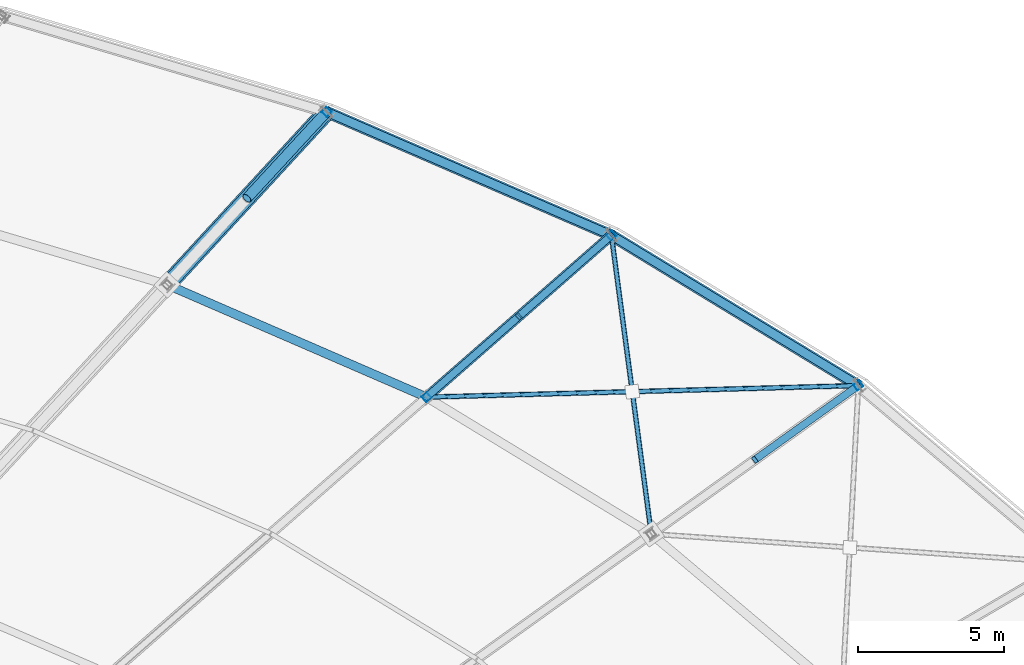
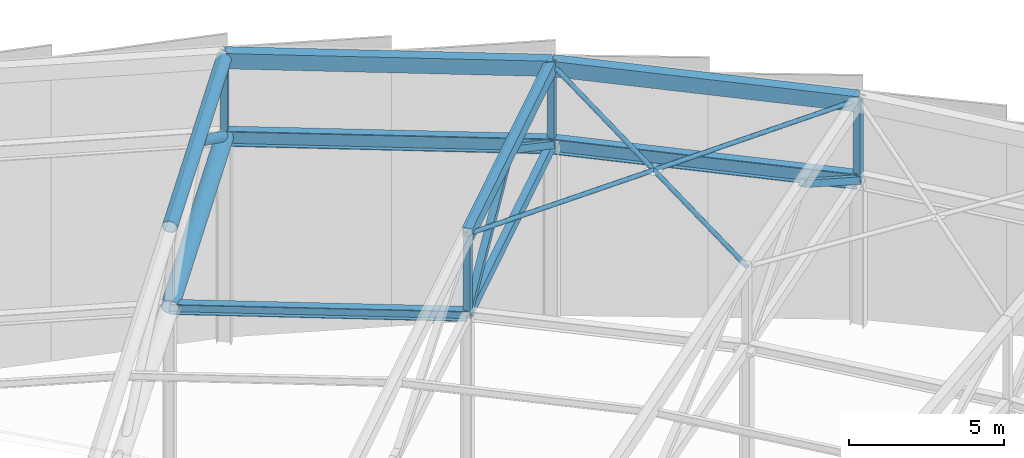
# One storey, part 103 of 143: 11 members, 9 beams.
"""IFC4 building model written with IfcOpenShell, lengths in metres."""

from ifc_helpers import new_model, si_unit, direction, frame, origin, origin_2d, place, context, subcontext, project, spatial, hollow_rectangle, hollow_circle, i_section, extrude, material, material_profile, profile_set, type_object, element, save


model = new_model("IFC4")

# Units and contexts
model_context = context("Model", 3, precision=1e-05, world=origin(), true_north=direction((0.0, 1.0)))
body_context = subcontext(model_context, "Body", "Model", "MODEL_VIEW")
ifc_project = project(units=[si_unit("LENGTHUNIT", "METRE"), si_unit("AREAUNIT", "SQUARE_METRE"), si_unit("VOLUMEUNIT", "CUBIC_METRE"), si_unit("PLANEANGLEUNIT", "RADIAN"), si_unit("MASSUNIT", "GRAM", prefix="KILO")], contexts=[model_context])

# Site, building, storey
site_placement = place(None, origin())
site = spatial("IfcSite", under=ifc_project, at=site_placement, CompositionType="ELEMENT")
building_placement = place(site_placement, origin())
building = spatial("IfcBuilding", under=site, at=building_placement, Name="Mphavela Belvedere Stadium", CompositionType="ELEMENT")
storey_placement = place(building_placement, frame((0.0, 0.0, 28.800048828125)))
storey = spatial("IfcBuildingStorey", under=building, at=storey_placement, Name="RF", CompositionType="ELEMENT", Elevation=28.800048828125)

# Beams
ifc_material_1 = material(Name="Steel S355", Category="steel")
ifc_material_profile_1 = material_profile(ifc_material_1, hollow_rectangle(XDim=0.39990234375, YDim=0.60009765625, WallThickness=0.02001953125, at=origin_2d()), Name="RHS 600x400x20")
ifc_profile_set_1 = profile_set([ifc_material_profile_1], Name="Steel S355")
beam_type_1 = type_object("IfcBeamType", Name="BM-RING-OUT", PredefinedType="BEAM", material=ifc_profile_set_1)
beam_1_placement = place(storey_placement, frame((194.155517578125, 143.714599609375, 8.805908203125), z_axis=(-0.847679486855, 0.515692686756, 0.124501166227), x_axis=(-0.51973651678, -0.854326607994, 0.0)))
element("IfcBeam", 1, at=beam_1_placement, inside=storey, type_object=beam_type_1, Name="Perimeter compression ring beam RB-OUT-07", PredefinedType="BEAM", context=body_context, shape_type="SweptSolid", body=[
    extrude(hollow_rectangle(XDim=0.39990234375, YDim=0.60009765625, WallThickness=0.02001953125, at=origin_2d()), origin(), (0.0, 0.0, 1.0), 9.979248046875),
])
beam_2_placement = place(storey_placement, frame((185.6962890625, 148.86083984375, 10.04833984375), z_axis=(-0.9121115164, 0.395403491348, 0.108206564865), x_axis=(-0.397738842004, -0.91749867224, 0.0)))
element("IfcBeam", 2, at=beam_2_placement, inside=storey, type_object=beam_type_1, Name="Perimeter compression ring beam RB-OUT-08", PredefinedType="BEAM", context=body_context, shape_type="SweptSolid", body=[
    extrude(hollow_rectangle(XDim=0.39990234375, YDim=0.60009765625, WallThickness=0.02001953125, at=origin_2d()), origin(), (0.0, 0.0, 1.0), 10.69921875),
])
ifc_material_2 = material(Name="Steel S355", Category="steel")
ifc_material_profile_2 = material_profile(ifc_material_2, i_section(OverallWidth=0.300048828125, OverallDepth=0.39990234375, WebThickness=0.013427734375, FlangeThickness=0.02392578125, at=origin_2d()), Name="HEB 400")
ifc_profile_set_2 = profile_set([ifc_material_profile_2], Name="Steel S355")
beam_type_2 = type_object("IfcBeamType", Name="BM-STEEL-HEB400", PredefinedType="BEAM", material=ifc_profile_set_2)
beam_3_placement = place(storey_placement, frame((179.360107421875, 143.31689453125, 5.832275390625), z_axis=(-0.912113994664, 0.395396453552, 0.108211391529), x_axis=(-0.397731972832, -0.917501650019, 0.0)))
element("IfcBeam", 3, at=beam_3_placement, inside=storey, type_object=beam_type_2, Name="Roof bottom-chord tie girder R3-08", PredefinedType="BEAM", context=body_context, shape_type="SweptSolid", body=[
    extrude(i_section(OverallWidth=0.300048828125, OverallDepth=0.39990234375, WebThickness=0.013427734375, FlangeThickness=0.02392578125, at=origin_2d()), origin(), (0.0, 0.0, 1.0), 9.73974609375),
])
ifc_material_3 = material(Name="Steel S355", Category="steel")
ifc_material_profile_3 = material_profile(ifc_material_3, i_section(OverallWidth=0.300048828125, OverallDepth=0.60009765625, WebThickness=0.015380859375, FlangeThickness=0.030029296875, at=origin_2d()), Name="HEB 600")
ifc_profile_set_3 = profile_set([ifc_material_profile_3], Name="Steel S355")
beam_type_3 = type_object("IfcBeamType", Name="BM-STEEL-HEB600", PredefinedType="BEAM", material=ifc_profile_set_3)
beam_4_placement = place(storey_placement, frame((194.155517578125, 143.714599609375, 5.7109375), z_axis=(-0.847679486855, 0.515692686756, 0.124501166227), x_axis=(-0.51973651678, -0.854326607994, 0.0)))
element("IfcBeam", 4, at=beam_4_placement, inside=storey, type_object=beam_type_3, Name="Roof bottom-chord tie girder R4-07", PredefinedType="BEAM", context=body_context, shape_type="SweptSolid", body=[
    extrude(i_section(OverallWidth=0.300048828125, OverallDepth=0.60009765625, WebThickness=0.015380859375, FlangeThickness=0.030029296875, at=origin_2d()), origin(), (0.0, 0.0, 1.0), 9.979248046875),
])
beam_5_placement = place(storey_placement, frame((185.6962890625, 148.86083984375, 6.953369140625), z_axis=(-0.912113768302, 0.395404467556, 0.108184013197), x_axis=(-0.397738842004, -0.91749867224, 0.0)))
element("IfcBeam", 5, at=beam_5_placement, inside=storey, type_object=beam_type_3, Name="Roof bottom-chord tie girder R4-08", PredefinedType="BEAM", context=body_context, shape_type="SweptSolid", body=[
    extrude(i_section(OverallWidth=0.300048828125, OverallDepth=0.60009765625, WebThickness=0.015380859375, FlangeThickness=0.030029296875, at=origin_2d()), origin(), (0.0, 0.0, 1.0), 10.698974609375),
])
ifc_material_4 = material(Name="Steel S355", Category="steel")
ifc_material_profile_4 = material_profile(ifc_material_4, hollow_circle(Radius=0.304931640625, WallThickness=0.02490234375, at=origin_2d()), Name="CHS 610x25")
ifc_profile_set_4 = profile_set([ifc_material_profile_4], Name="Steel S355")
beam_type_4 = type_object("IfcBeamType", Name="BM-TRUSS-BC1", PredefinedType="BEAM", material=ifc_profile_set_4)
beam_6_placement = place(storey_placement, frame((175.9375, 153.09130859375, 8.11083984375), z_axis=(-0.670146051541, -0.726857861437, -0.150272814812), x_axis=(0.735206448532, -0.67784325477, 0.0)))
element("IfcBeam", 6, at=beam_6_placement, inside=storey, type_object=beam_type_4, Name="Radial roof truss RT-09 bottom chord 1", PredefinedType="BEAM", context=body_context, shape_type="SweptSolid", body=[
    extrude(hollow_circle(Radius=0.304931640625, WallThickness=0.02490234375, at=origin_2d()), origin(), (0.0, 0.0, 1.0), 8.149169921875),
])
ifc_material_5 = material(Name="Steel S355", Category="steel")
ifc_material_profile_5 = material_profile(ifc_material_5, hollow_rectangle(XDim=0.25, YDim=0.39990234375, WallThickness=0.01611328125, at=origin_2d()), Name="RHS 400x250x16")
ifc_profile_set_5 = profile_set([ifc_material_profile_5], Name="Steel S355")
beam_type_5 = type_object("IfcBeamType", Name="BM-TRUSS-BC2", PredefinedType="BEAM", material=ifc_profile_set_5)
beam_7_placement = place(storey_placement, frame((185.6962890625, 148.86083984375, 6.953369140625), z_axis=(-0.746004453664, -0.652728745571, -0.131994468895), x_axis=(0.658490236978, -0.752589268993, 0.0)))
element("IfcBeam", 7, at=beam_7_placement, inside=storey, type_object=beam_type_5, Name="Radial roof truss RT-08 bottom chord 1", PredefinedType="BEAM", context=body_context, shape_type="SweptSolid", body=[
    extrude(hollow_rectangle(XDim=0.25, YDim=0.39990234375, WallThickness=0.01611328125, at=origin_2d()), origin(), (0.0, 0.0, 1.0), 8.493408203125),
])
ifc_material_6 = material(Name="Steel S355", Category="steel")
ifc_material_profile_6 = material_profile(ifc_material_6, hollow_circle(Radius=0.25390625, WallThickness=0.02490234375, at=origin_2d()), Name="CHS 508x25")
ifc_profile_set_6 = profile_set([ifc_material_profile_6], Name="Steel S355")
beam_type_6 = type_object("IfcBeamType", Name="BM-TRUSS-TC1", PredefinedType="BEAM", material=ifc_profile_set_6)
beam_8_placement = place(storey_placement, frame((175.9375, 153.09130859375, 11.260986328125), z_axis=(-0.670143034278, -0.726854588835, -0.150302096785), x_axis=(0.735206448532, -0.67784325477, 0.0)))
element("IfcBeam", 8, at=beam_8_placement, inside=storey, type_object=beam_type_6, Name="Radial roof truss RT-09 top chord 1", PredefinedType="BEAM", context=body_context, shape_type="SweptSolid", body=[
    extrude(hollow_circle(Radius=0.25390625, WallThickness=0.02490234375, at=origin_2d()), origin(), (0.0, 0.0, 1.0), 8.149169921875),
])
ifc_material_7 = material(Name="Steel S355", Category="steel")
ifc_material_profile_7 = material_profile(ifc_material_7, hollow_rectangle(XDim=0.35009765625, YDim=0.5, WallThickness=0.02001953125, at=origin_2d()), Name="RHS 500x350x20")
ifc_profile_set_7 = profile_set([ifc_material_profile_7], Name="Steel S355")
beam_type_7 = type_object("IfcBeamType", Name="BM-TRUSS-TC2", PredefinedType="BEAM", material=ifc_profile_set_7)
beam_9_placement = place(storey_placement, frame((185.6962890625, 148.86083984375, 10.103271484375), z_axis=(-0.746004453664, -0.652728745571, -0.131994468895), x_axis=(0.658490236978, -0.752589268993, 0.0)))
element("IfcBeam", 9, at=beam_9_placement, inside=storey, type_object=beam_type_7, Name="Radial roof truss RT-08 top chord 1", PredefinedType="BEAM", context=body_context, shape_type="SweptSolid", body=[
    extrude(hollow_rectangle(XDim=0.35009765625, YDim=0.5, WallThickness=0.02001953125, at=origin_2d()), origin(), (0.0, 0.0, 1.0), 8.493408203125),
])

# Members
ifc_material_8 = material(Name="Steel S355", Category="steel")
ifc_material_profile_8 = material_profile(ifc_material_8, hollow_circle(Radius=0.177734375, WallThickness=0.01611328125, at=origin_2d()), Name="CHS 355.6x16")
ifc_profile_set_8 = profile_set([ifc_material_profile_8], Name="Steel S355")
member_type_1 = type_object("IfcMemberType", Name="MEM-DIAG-355", PredefinedType="BRACE", material=ifc_profile_set_8)
member_1_placement = place(storey_placement, frame((175.9375, 153.09130859375, 8.11083984375), z_axis=(-0.573551566915, -0.622061158538, 0.532990164194), x_axis=(0.735191347118, -0.677859633791, 0.0)))
element("IfcMember", 10, at=member_1_placement, inside=storey, type_object=member_type_1, Name="Radial roof truss RT-09 web diagonal D1", PredefinedType="BRACE", context=body_context, shape_type="SweptSolid", body=[
    extrude(hollow_circle(Radius=0.177734375, WallThickness=0.01611328125, at=origin_2d()), origin(), (0.0, 0.0, 1.0), 4.760986328125),
])
ifc_material_9 = material(Name="Steel S355", Category="steel")
ifc_material_profile_9 = material_profile(ifc_material_9, hollow_rectangle(XDim=0.25, YDim=0.25, WallThickness=0.012451171875, at=origin_2d()), Name="SHS 250x250x12.5")
ifc_profile_set_9 = profile_set([ifc_material_profile_9], Name="Steel S355")
member_type_2 = type_object("IfcMemberType", Name="MEM-POST-SHS250", PredefinedType="POST", material=ifc_profile_set_9)
member_2_placement = place(storey_placement, frame((194.155517578125, 143.714599609375, 5.7109375), z_axis=(0.0, 0.0, 1.0), x_axis=(0.812897512265, 0.582406760395, 0.0)))
element("IfcMember", 11, at=member_2_placement, inside=storey, type_object=member_type_2, Name="Radial roof truss RT-07 post P1", PredefinedType="POST", context=body_context, shape_type="SweptSolid", body=[
    extrude(hollow_rectangle(XDim=0.25, YDim=0.25, WallThickness=0.012451171875, at=origin_2d()), origin(), (0.0, 0.0, 1.0), 3.14990234375),
])
member_3_placement = place(storey_placement, frame((194.155517578125, 143.714599609375, 5.7109375), z_axis=(-0.695147176222, -0.498071588167, 0.518358077444), x_axis=(0.582428376319, -0.812882024932, 0.0)))
element("IfcMember", 12, at=member_3_placement, inside=storey, type_object=member_type_2, Name="Radial roof truss RT-07 web diagonal D1", PredefinedType="POST", context=body_context, shape_type="SweptSolid", body=[
    extrude(hollow_rectangle(XDim=0.25, YDim=0.25, WallThickness=0.012451171875, at=origin_2d()), origin(), (0.0, 0.0, 1.0), 5.102783203125),
])
for number, where, z_axis, x_axis, name in (
    (13, (185.6962890625, 148.86083984375, 6.953369140625), (0.0, 0.0, 1.0), (0.752529860433, 0.658558128912, 0.0), "Radial roof truss RT-08 post P1"),
    (14, (179.360107421875, 143.31689453125, 5.832275390625), (0.0, 0.0, 1.0), (0.752529860433, 0.658558128912, 0.0), "Radial roof truss RT-08 post P2"),
):
    element("IfcMember", number, at=place(storey_placement, frame(where, z_axis=z_axis, x_axis=x_axis)), inside=storey, type_object=member_type_2, Name=name, PredefinedType="POST", context=body_context, shape_type="SweptSolid", body=[
        extrude(hollow_rectangle(XDim=0.25, YDim=0.25, WallThickness=0.012451171875, at=origin_2d()), origin(), (0.0, 0.0, 1.0), 3.14990234375),
    ])
member_4_placement = place(storey_placement, frame((185.6962890625, 148.86083984375, 6.953369140625), z_axis=(-0.641013210253, -0.560886558971, 0.523935427554), x_axis=(0.658504607869, -0.752576694707, 0.0)))
element("IfcMember", 15, at=member_4_placement, inside=storey, type_object=member_type_2, Name="Radial roof truss RT-08 web diagonal D1", PredefinedType="POST", context=body_context, shape_type="SweptSolid", body=[
    extrude(hollow_rectangle(XDim=0.25, YDim=0.25, WallThickness=0.012451171875, at=origin_2d()), origin(), (0.0, 0.0, 1.0), 4.942138671875),
])
member_5_placement = place(storey_placement, frame((182.5283203125, 146.0888671875, 9.542724609375), z_axis=(-0.564593708494, -0.49398142608, -0.661223332179), x_axis=(0.658475866476, -0.752601842457, 0.0)))
element("IfcMember", 16, at=member_5_placement, inside=storey, type_object=member_type_2, Name="Radial roof truss RT-08 web diagonal D2", PredefinedType="POST", context=body_context, shape_type="SweptSolid", body=[
    extrude(hollow_rectangle(XDim=0.25, YDim=0.25, WallThickness=0.012451171875, at=origin_2d()), origin(), (0.0, 0.0, 1.0), 5.611572265625),
])
member_6_placement = place(storey_placement, frame((175.9375, 153.09130859375, 8.11083984375), z_axis=(0.0, 0.0, 1.0), x_axis=(0.677903094969, 0.735151272753, 0.0)))
element("IfcMember", 17, at=member_6_placement, inside=storey, type_object=member_type_2, Name="Radial roof truss RT-09 post P1", PredefinedType="POST", context=body_context, shape_type="SweptSolid", body=[
    extrude(hollow_rectangle(XDim=0.25, YDim=0.25, WallThickness=0.012451171875, at=origin_2d()), origin(), (0.0, 0.0, 1.0), 3.150146484375),
])
ifc_material_10 = material(Name="Steel S355", Category="steel")
ifc_material_profile_10 = material_profile(ifc_material_10, hollow_circle(Radius=0.084228515625, WallThickness=0.010009765625, at=origin_2d()), Name="CHS 168.3x10")
ifc_profile_set_10 = profile_set([ifc_material_profile_10], Name="Steel S355")
member_type_3 = type_object("IfcMemberType", Name="MEM-ROOF-XBRACE", PredefinedType="BRACE", material=ifc_profile_set_10)
member_7_placement = place(storey_placement, frame((187.061279296875, 138.631591796875, 7.851318359375), z_axis=(-0.129226601163, 0.968425212332, 0.213197311596), x_axis=(-0.991214052153, -0.132267542557, 0.0)))
element("IfcMember", 18, at=member_7_placement, inside=storey, type_object=member_type_3, Name="Roof diaphragm continuous X-brace A 07", PredefinedType="BRACE", context=body_context, shape_type="SweptSolid", body=[
    extrude(hollow_circle(Radius=0.084228515625, WallThickness=0.010009765625, at=origin_2d()), origin(), (0.0, 0.0, 1.0), 10.562744140625),
])
member_8_placement = place(storey_placement, frame((194.155517578125, 143.714599609375, 8.86083984375), z_axis=(-0.999604854409, -0.026879230213, 0.00822447724), x_axis=(0.026880139342, -0.999638663773, 0.0)))
element("IfcMember", 19, at=member_8_placement, inside=storey, type_object=member_type_3, Name="Roof diaphragm split X-brace B1 07", PredefinedType="BRACE", context=body_context, shape_type="SweptSolid", body=[
    extrude(hollow_circle(Radius=0.084228515625, WallThickness=0.010009765625, at=origin_2d()), origin(), (0.0, 0.0, 1.0), 7.747802734375),
])
member_9_placement = place(storey_placement, frame((186.410888671875, 143.50634765625, 8.924560546875), z_axis=(-0.999605851203, -0.026859215392, 0.008168524269), x_axis=(0.026860111525, -0.999639202117, 0.0)))
element("IfcMember", 20, at=member_9_placement, inside=storey, type_object=member_type_3, Name="Roof diaphragm split X-brace B2 07", PredefinedType="BRACE", context=body_context, shape_type="SweptSolid", body=[
    extrude(hollow_circle(Radius=0.084228515625, WallThickness=0.010009765625, at=origin_2d()), origin(), (0.0, 0.0, 1.0), 7.053466796875),
])

save(model, "model.ifc")
